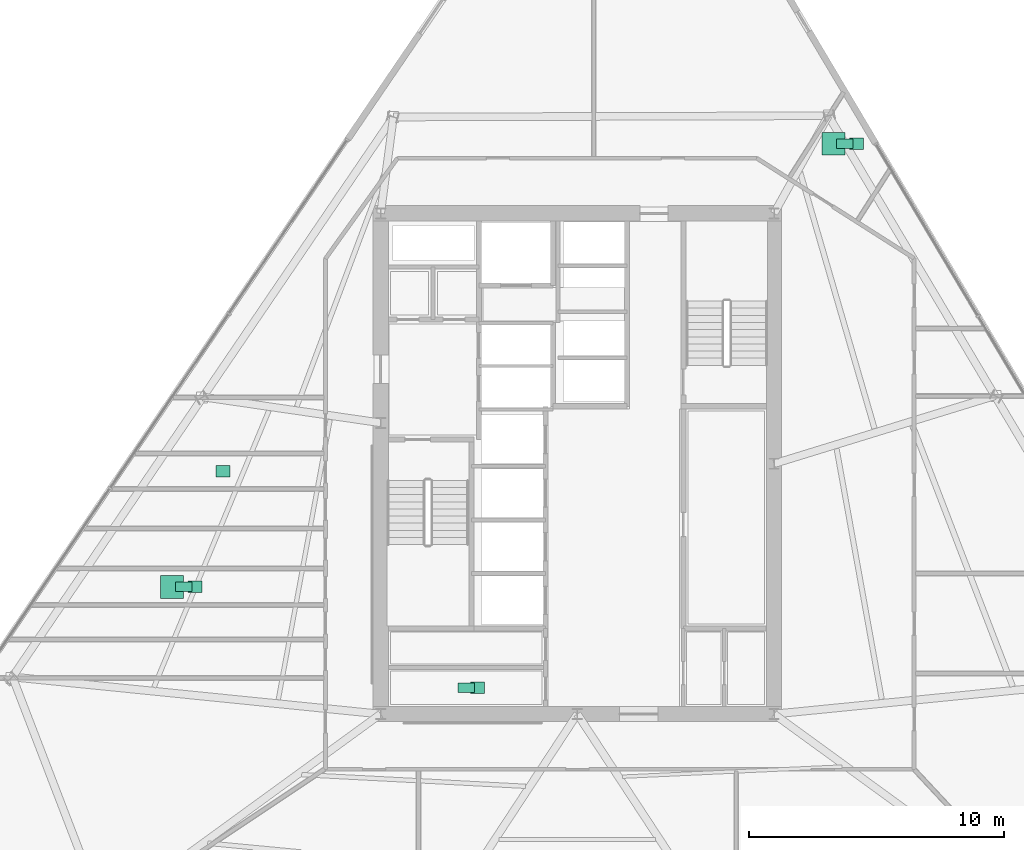
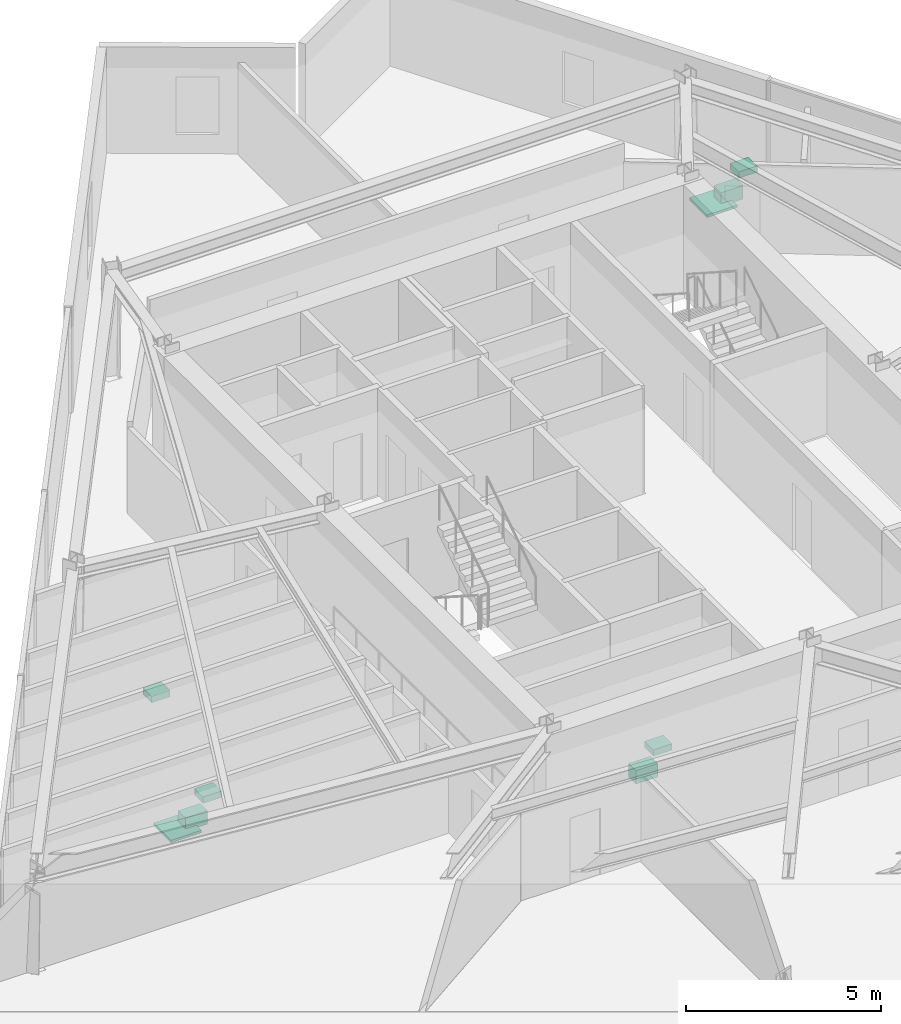
# One storey, part 15 of 15: 9 sanitary terminals.
"""IFC4 building model written with IfcOpenShell, lengths in metres."""

from ifc_helpers import new_model, si_unit, direction, frame, origin, origin_2d, place, context, subcontext, project, spatial, rectangle, extrude, material, type_object, element, save


model = new_model("IFC4")

# Units and contexts
model_context = context("Model", 3, precision=1e-05, world=origin(), true_north=direction((0.0, 1.0)))
body_context = subcontext(model_context, "Body", "Model", "MODEL_VIEW")
ifc_project = project(units=[si_unit("LENGTHUNIT", "METRE"), si_unit("AREAUNIT", "SQUARE_METRE"), si_unit("VOLUMEUNIT", "CUBIC_METRE"), si_unit("PLANEANGLEUNIT", "RADIAN"), si_unit("MASSUNIT", "GRAM", prefix="KILO")], contexts=[model_context])

# Site, building, storey
site_placement = place(None, origin())
site = spatial("IfcSite", under=ifc_project, at=site_placement, CompositionType="ELEMENT")
building_placement = place(site_placement, origin())
building = spatial("IfcBuilding", under=site, at=building_placement, Name="Savorim Split Tower", CompositionType="ELEMENT")
storey_placement = place(building_placement, frame((0.0, 0.0, 114.89990234375)))
storey = spatial("IfcBuildingStorey", under=building, at=storey_placement, Name="L30", CompositionType="ELEMENT", Elevation=114.89990234375)

# Sanitary terminals
ifc_material = material(Name="Vitreous China Sanitaryware")
sanitary_terminal_type_1 = type_object("IfcSanitaryTerminalType", Name="SAN-SHW-900", PredefinedType="SHOWER", material=ifc_material)
for number, where, z_axis, x_axis, name in (
    (1, (-15.864013671875, -4.420166015625, 0.0), (0.0, 0.0, 1.0), (1.0, 0.0, 0.0), "L30 Shared Bathroom Shower"),
    (2, (10.025146484375, 12.926025390625, 0.0), (0.0, 0.0, 1.0), (1.0, 0.0, 0.0), "L30 Shared Bathroom Shower"),
):
    element("IfcSanitaryTerminal", number, at=place(storey_placement, frame(where, z_axis=z_axis, x_axis=x_axis)), inside=storey, type_object=sanitary_terminal_type_1, Name=name, PredefinedType="SHOWER", context=body_context, shape_type="SweptSolid", body=[
        extrude(rectangle(XDim=0.89990234375, YDim=0.89990234375, at=origin_2d()), origin(), (0.0, 0.0, 1.0), 0.080078125),
    ])
sanitary_terminal_type_2 = type_object("IfcSanitaryTerminalType", Name="SAN-WC-PAN", PredefinedType="TOILETPAN", material=ifc_material)
for number, where, z_axis, x_axis, name in (
    (3, (-4.35009765625, -8.3701171875, 0.000244140625), (0.0, 0.0, 1.0), (1.0, 0.0, 0.0), "L30 Public WC WC Pan"),
    (4, (-15.4140625, -4.420166015625, 0.000244140625), (0.0, 0.0, 1.0), (1.0, 0.0, 0.0), "L30 Shared Bathroom WC Pan"),
    (5, (10.47509765625, 12.926025390625, 0.000244140625), (0.0, 0.0, 1.0), (1.0, 0.0, 0.0), "L30 Shared Bathroom WC Pan"),
):
    element("IfcSanitaryTerminal", number, at=place(storey_placement, frame(where, z_axis=z_axis, x_axis=x_axis)), inside=storey, type_object=sanitary_terminal_type_2, Name=name, PredefinedType="TOILETPAN", context=body_context, shape_type="SweptSolid", body=[
        extrude(rectangle(XDim=0.64990234375, YDim=0.3798828125, at=origin_2d()), origin(), (0.0, 0.0, 1.0), 0.419921875),
    ])
sanitary_terminal_type_3 = type_object("IfcSanitaryTerminalType", Name="SAN-WHB-550", PredefinedType="WASHHANDBASIN", material=ifc_material)
for number, where, z_axis, x_axis, name in (
    (6, (-3.89990234375, -8.3701171875, 0.72021484375), (0.0, 0.0, 1.0), (1.0, 0.0, 0.0), "L30 Public WC Washhand Basin"),
    (7, (-13.87548828125, 0.102783203125, 0.75), (0.0, 0.0, 1.0), (1.0, 0.0, 0.0), "L30 Shared Kitchen Utility Sink"),
    (8, (-14.964111328125, -4.420166015625, 0.72021484375), (0.0, 0.0, 1.0), (1.0, 0.0, 0.0), "L30 Shared Bathroom Washhand Basin"),
    (9, (10.925048828125, 12.926025390625, 0.72021484375), (0.0, 0.0, 1.0), (1.0, 0.0, 0.0), "L30 Shared Bathroom Washhand Basin"),
):
    element("IfcSanitaryTerminal", number, at=place(storey_placement, frame(where, z_axis=z_axis, x_axis=x_axis)), inside=storey, type_object=sanitary_terminal_type_3, Name=name, PredefinedType="WASHHANDBASIN", context=body_context, shape_type="SweptSolid", body=[
        extrude(rectangle(XDim=0.550048828125, YDim=0.449951171875, at=origin_2d()), origin(), (0.0, 0.0, 1.0), 0.199951171875),
    ])

save(model, "model.ifc")
